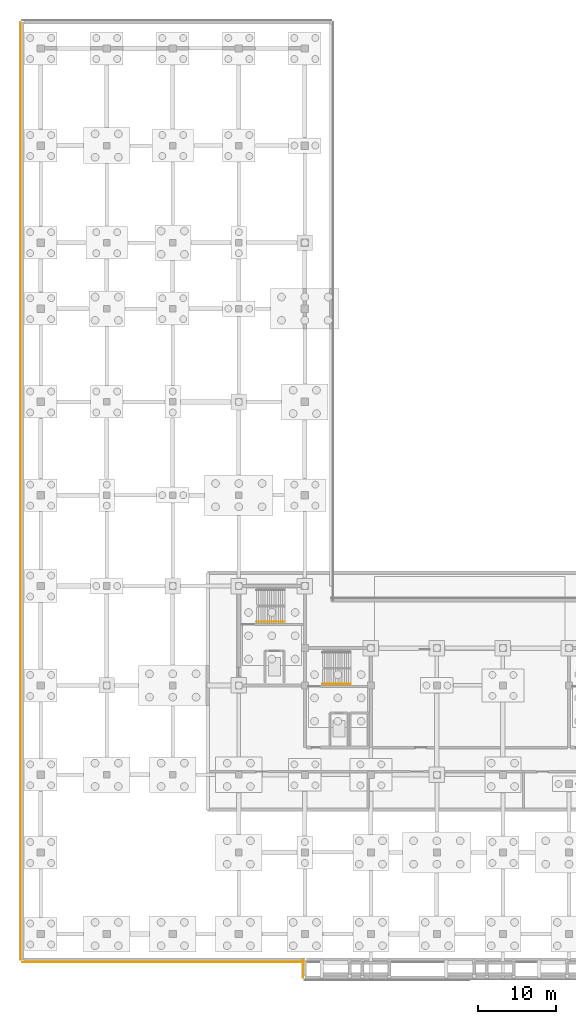
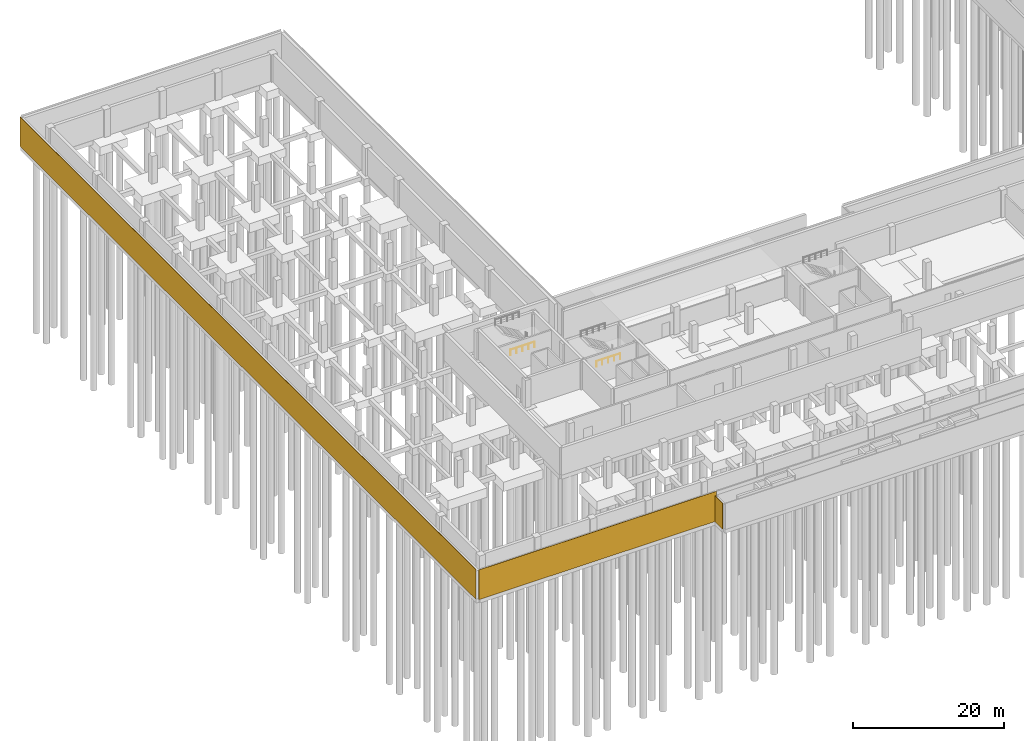
# One storey, part 17 of 25: 3 coverings, 2 railings.
"""IFC4 building model written with IfcOpenShell, lengths in metres."""

import ifcopenshell
import ifcopenshell.guid

model = None  # the IFC model being written
_history = None  # IfcOwnerHistory: only IFC2X3 demands one
_inside = {}  # id of a spatial element -> (the spatial element, [elements in it])
_under = {}  # id of a project, library or spatial element -> (it, [spatial elements below it])
_declared = {}  # id of a project -> (the project, [libraries it declares])
_typed = {}  # id of a type object -> (the type object, [elements of that type])
_made_of = {}  # id of a material, layer set ... -> (it, [elements and type objects made of it])


def new_model(schema):
    """Start an empty IFC model of exactly this schema.

    Asked for "IFC4X3", IfcOpenShell would pick the latest addendum, in which some entities
    have other attributes; the version numbers below select the first issue.
    IFC2X3 requires an IfcOwnerHistory on every rooted entity: one is made here for all.
    """
    global model, _history
    if schema == "IFC4X3":
        model = ifcopenshell.file(schema_version=(4, 3, 0, 0))
    else:
        model = ifcopenshell.file(schema=schema)
    _inside.clear()
    _under.clear()
    _declared.clear()
    _typed.clear()
    _made_of.clear()
    _history = None
    if model.schema == "IFC2X3":
        org = make("IfcOrganization", Name="unknown")
        user = make(
            "IfcPersonAndOrganization",
            ThePerson=make("IfcPerson", FamilyName="unknown"),
            TheOrganization=org,
        )
        app = make(
            "IfcApplication",
            ApplicationDeveloper=org,
            Version="unknown",
            ApplicationFullName="unknown",
            ApplicationIdentifier="unknown",
        )
        _history = make(
            "IfcOwnerHistory",
            OwningUser=user,
            OwningApplication=app,
            ChangeAction="ADDED",
            CreationDate=0,
        )
    return model


def make(cls, **values):
    """One entity of the class cls with the attributes given. An attribute that is None is left unset."""
    return model.create_entity(
        cls, **{name: value for name, value in values.items() if value is not None}
    )


def rooted(cls, **values):
    """An entity with a GlobalId (a new one), such as an element, a storey or a relation."""
    return make(cls, GlobalId=ifcopenshell.guid.new(), OwnerHistory=_history, **values)


def si_unit(unit_type, name, prefix=None):
    """IfcSIUnit, for example si_unit("LENGTHUNIT", "METRE", prefix="MILLI")."""
    return make("IfcSIUnit", UnitType=unit_type, Prefix=prefix, Name=name)


def assignment(units):
    """IfcUnitAssignment: the units of a project."""
    return None if units is None else make("IfcUnitAssignment", Units=units)


def point(xyz):
    """IfcCartesianPoint."""
    return None if xyz is None else make("IfcCartesianPoint", Coordinates=xyz)


def direction(xyz):
    """IfcDirection."""
    return None if xyz is None else make("IfcDirection", DirectionRatios=xyz)


def frame(location, z_axis=None, x_axis=None):
    """IfcAxis2Placement3D, a coordinate frame: its origin and axes. An axis left out is left unset."""
    return make(
        "IfcAxis2Placement3D",
        Location=point(location),
        Axis=direction(z_axis),
        RefDirection=direction(x_axis),
    )


def frame_2d(location, x_axis=None):
    """IfcAxis2Placement2D, a coordinate frame in the plane: its origin and x axis."""
    return make(
        "IfcAxis2Placement2D", Location=point(location), RefDirection=direction(x_axis)
    )


def origin():
    """The frame at (0, 0, 0) with its axes left unset."""
    return frame((0.0, 0.0, 0.0))


def origin_2d():
    """The frame at (0, 0) in the plane with its x axis left unset."""
    return frame_2d((0.0, 0.0))


def place(relative_to, where):
    """IfcLocalPlacement: puts the frame where relative to a parent placement (None: the world)."""
    return make(
        "IfcLocalPlacement", PlacementRelTo=relative_to, RelativePlacement=where
    )


def context(
    kind, dimensions, precision=None, world=None, true_north=None, identifier=None
):
    """IfcGeometricRepresentationContext, for example the 3D "Model" context."""
    return make(
        "IfcGeometricRepresentationContext",
        ContextIdentifier=identifier,
        ContextType=kind,
        CoordinateSpaceDimension=dimensions,
        Precision=precision,
        WorldCoordinateSystem=world,
        TrueNorth=true_north,
    )


def subcontext(parent, identifier, kind, view, scale=None):
    """IfcGeometricRepresentationSubContext, for example "Body" below "Model"."""
    return make(
        "IfcGeometricRepresentationSubContext",
        ContextIdentifier=identifier,
        ContextType=kind,
        ParentContext=parent,
        TargetScale=scale,
        TargetView=view,
    )


def project(units=None, contexts=None):
    """IfcProject with its units and contexts."""
    return rooted(
        "IfcProject",
        Name="project",
        RepresentationContexts=contexts,
        UnitsInContext=assignment(units),
    )


def spatial(cls, under=None, at=None, **own):
    """A site, building, storey or space (cls), placed at a placement, below another one or the project."""
    s = rooted(cls, ObjectPlacement=at, **own)
    if under is not None:
        _under.setdefault(under.id(), (under, []))[1].append(s)
    return s


def profile(cls, at=None, kind="AREA", **sizes):
    """A parametric profile (cls). Its sizes go by their IFC names, for example OverallWidth=200.0."""
    return make(cls, ProfileType=kind, Position=at, **sizes)


def rectangle(**sizes):
    """IfcRectangleProfileDef."""
    return profile("IfcRectangleProfileDef", **sizes)


def circle(**sizes):
    """IfcCircleProfileDef."""
    return profile("IfcCircleProfileDef", **sizes)


def extrude(swept, where, along, depth):
    """IfcExtrudedAreaSolid: the profile swept, set in the frame where, extruded along a direction by depth."""
    return make(
        "IfcExtrudedAreaSolid",
        SweptArea=swept,
        Position=where,
        ExtrudedDirection=direction(along),
        Depth=depth,
    )


def shape(context_of_items, identifier, shape_type, items):
    """IfcShapeRepresentation: the items that make up one representation, for example the "Body"."""
    return make(
        "IfcShapeRepresentation",
        ContextOfItems=context_of_items,
        RepresentationIdentifier=identifier,
        RepresentationType=shape_type,
        Items=items,
    )


def material(Name=None, Category=None):
    """IfcMaterial."""
    return make("IfcMaterial", Name=Name, Category=Category)


def layer(
    of_material, thickness, ventilated=None, Name=None, Category=None, Priority=None
):
    """IfcMaterialLayer: one layer of a wall or slab, of a material (None: an air gap)."""
    return make(
        "IfcMaterialLayer",
        Material=of_material,
        LayerThickness=thickness,
        IsVentilated=ventilated,
        Name=Name,
        Category=Category,
        Priority=Priority,
    )


def layer_set(layers, Name=None):
    """IfcMaterialLayerSet."""
    return make("IfcMaterialLayerSet", MaterialLayers=layers, LayerSetName=Name)


def made_of(thing, what):
    """Note that an element or type object is made of a material, layer set ...; save() writes the relation."""
    if what is not None:
        _made_of.setdefault(what.id(), (what, []))[1].append(thing)
    return thing


def type_object(cls, material=None, **own):
    """A type object (cls), such as IfcWallType, which elements share."""
    return made_of(rooted(cls, **own), material)


def element(
    cls,
    number,
    at=None,
    inside=None,
    cuts=None,
    type_object=None,
    material=None,
    context=None,
    identifier="Body",
    shape_type=None,
    held_by="IfcProductDefinitionShape",
    body=None,
    shapes=None,
    **own,
):
    """One element of the class cls, such as IfcWall. Its Tag is "e" and its number.

    at: its placement. inside: the storey or other place that contains it. cuts: it is an
    opening in that element (IfcRelVoidsElement). A single representation is given by context,
    identifier, shape_type and body (its items); several are given by shapes. held_by: the class
    of the entity that holds the representations. save() writes the other relations.
    """
    e = rooted(cls, Tag="e%d" % number, ObjectPlacement=at, **own)
    if body is not None:
        shapes = [shape(context, identifier, shape_type, body)]
    if shapes is not None:
        e.Representation = make(held_by, Representations=shapes)
    if inside is not None:
        _inside.setdefault(inside.id(), (inside, []))[1].append(e)
    if cuts is not None:
        rooted(
            "IfcRelVoidsElement", RelatingBuildingElement=cuts, RelatedOpeningElement=e
        )
    if type_object is not None:
        _typed.setdefault(type_object.id(), (type_object, []))[1].append(e)
    return made_of(e, material)


def aggregate(whole, parts):
    """IfcRelAggregates: a whole, such as a stair, and the parts it consists of."""
    return rooted("IfcRelAggregates", RelatingObject=whole, RelatedObjects=parts)


def save(model, path):
    """Write the relations noted so far, then the file.

    IfcRelAggregates (storeys below a building ...), IfcRelContainedInSpatialStructure (elements
    in a storey), IfcRelDefinesByType, IfcRelAssociatesMaterial and IfcRelDeclares: one each for
    every whole, place, type object, material and project.
    """
    for whole, parts in _under.values():
        aggregate(whole, parts)
    for where, things in _inside.values():
        rooted(
            "IfcRelContainedInSpatialStructure",
            RelatedElements=things,
            RelatingStructure=where,
        )
    for kind, things in _typed.values():
        rooted("IfcRelDefinesByType", RelatedObjects=things, RelatingType=kind)
    for what, things in _made_of.values():
        rooted("IfcRelAssociatesMaterial", RelatedObjects=things, RelatingMaterial=what)
    for by, libraries in _declared.values():
        rooted("IfcRelDeclares", RelatingContext=by, RelatedDefinitions=libraries)
    model.write(path)


model = new_model("IFC4")

# Units and contexts
model_context = context("Model", 3, precision=1e-05, world=origin(), true_north=direction((0.0, 1.0)))
body_context = subcontext(model_context, "Body", "Model", "MODEL_VIEW")
ifc_project = project(units=[si_unit("LENGTHUNIT", "METRE"), si_unit("AREAUNIT", "SQUARE_METRE"), si_unit("VOLUMEUNIT", "CUBIC_METRE"), si_unit("PLANEANGLEUNIT", "RADIAN"), si_unit("MASSUNIT", "GRAM", prefix="KILO")], contexts=[model_context])

# Site, building, storey
site_placement = place(None, origin())
site = spatial("IfcSite", under=ifc_project, at=site_placement, CompositionType="ELEMENT")
building_placement = place(site_placement, origin())
building = spatial("IfcBuilding", under=site, at=building_placement, Name="Solvikara Media Centre", CompositionType="ELEMENT")
storey_placement = place(building_placement, frame((0.0, 0.0, -4.800048828125)))
storey = spatial("IfcBuildingStorey", under=building, at=storey_placement, Name="B01", CompositionType="ELEMENT", Elevation=-4.800048828125)

# Coverings
ifc_material_1 = material(Name="Reconstituted pale limestone flood-plinth cladding", Category="masonry")
ifc_layer = layer(ifc_material_1, 0.06005859375)
ifc_layer_set = layer_set([ifc_layer], Name="Reconstituted pale limestone flood-plinth cladding")
covering_type = type_object("IfcCoveringType", Name="CV-05", PredefinedType="CLADDING", material=ifc_layer_set)
covering_1_placement = place(storey_placement, frame((-2.635009765625, 57.02490234375, 0.0), z_axis=(0.0, 0.0, 1.0), x_axis=(0.0, 1.0, 0.0)))
element("IfcCovering", 1, at=covering_1_placement, inside=storey, type_object=covering_type, Name="PLN-WEST", PredefinedType="CLADDING", context=body_context, shape_type="SweptSolid", body=[
    extrude(rectangle(XDim=120.7099609375, YDim=0.06005859375, at=origin_2d()), origin(), (0.0, 0.0, 1.0), 4.800048828125),
])
covering_2_placement = place(storey_placement, frame((15.81005859375, -3.5849609375, 0.0), z_axis=(0.0, 0.0, 1.0), x_axis=(1.0, 0.0, 0.0)))
element("IfcCovering", 2, at=covering_2_placement, inside=storey, type_object=covering_type, Name="PLN-SW", PredefinedType="CLADDING", context=body_context, shape_type="SweptSolid", body=[
    extrude(rectangle(XDim=36.3798828125, YDim=0.06005859375, at=origin_2d()), origin(), (0.0, 0.0, 1.0), 4.800048828125),
])
covering_3_placement = place(storey_placement, frame((33.7451171875, -4.47998046875, 0.0), z_axis=(0.0, 0.0, 1.0), x_axis=(0.0, 1.0, 0.0)))
element("IfcCovering", 3, at=covering_3_placement, inside=storey, type_object=covering_type, Name="PLN-FOREW", PredefinedType="CLADDING", context=body_context, shape_type="SweptSolid", body=[
    extrude(rectangle(XDim=2.300048828125, YDim=0.06005859375, at=origin_2d()), origin(), (0.0, 0.0, 1.0), 4.199951171875),
])

# Railings
ifc_material_2 = material(Name="Steel S355JR", Category="steel")
railing_type = type_object("IfcRailingType", Name="HR-01", PredefinedType="HANDRAIL", material=ifc_material_2)
for number, where, name in (
    (4, (27.780029296875, 40.199951171875, 2.400146484375), "HR-C1-B01-1"),
    (5, (36.280029296875, 32.199951171875, 2.400146484375), "HR-C2-B01-1"),
):
    element("IfcRailing", number, at=place(storey_placement, frame(where)), inside=storey, type_object=railing_type, Name=name, PredefinedType="HANDRAIL", context=body_context, shape_type="SweptSolid", body=[
        extrude(circle(Radius=0.02392578125, at=origin_2d()), frame((0.0, 0.0, 0.89599609375), z_axis=(1.0, 0.0, 0.0), x_axis=(0.0, 1.0, 0.0)), (0.0, 0.0, 1.0), 3.639892578125),
        extrude(circle(Radius=0.02099609375, at=origin_2d()), origin(), (0.0, 0.0, 1.0), 0.871826171875),
        extrude(circle(Radius=0.02099609375, at=origin_2d()), frame((0.909912109375, 0.0, 0.0)), (0.0, 0.0, 1.0), 0.871826171875),
        extrude(circle(Radius=0.02099609375, at=origin_2d()), frame((1.81982421875, 0.0, 0.0)), (0.0, 0.0, 1.0), 0.871826171875),
        extrude(circle(Radius=0.02099609375, at=origin_2d()), frame((2.72998046875, 0.0, 0.0)), (0.0, 0.0, 1.0), 0.871826171875),
        extrude(circle(Radius=0.02099609375, at=origin_2d()), frame((3.639892578125, 0.0, 0.0)), (0.0, 0.0, 1.0), 0.871826171875),
    ])

save(model, "model.ifc")
